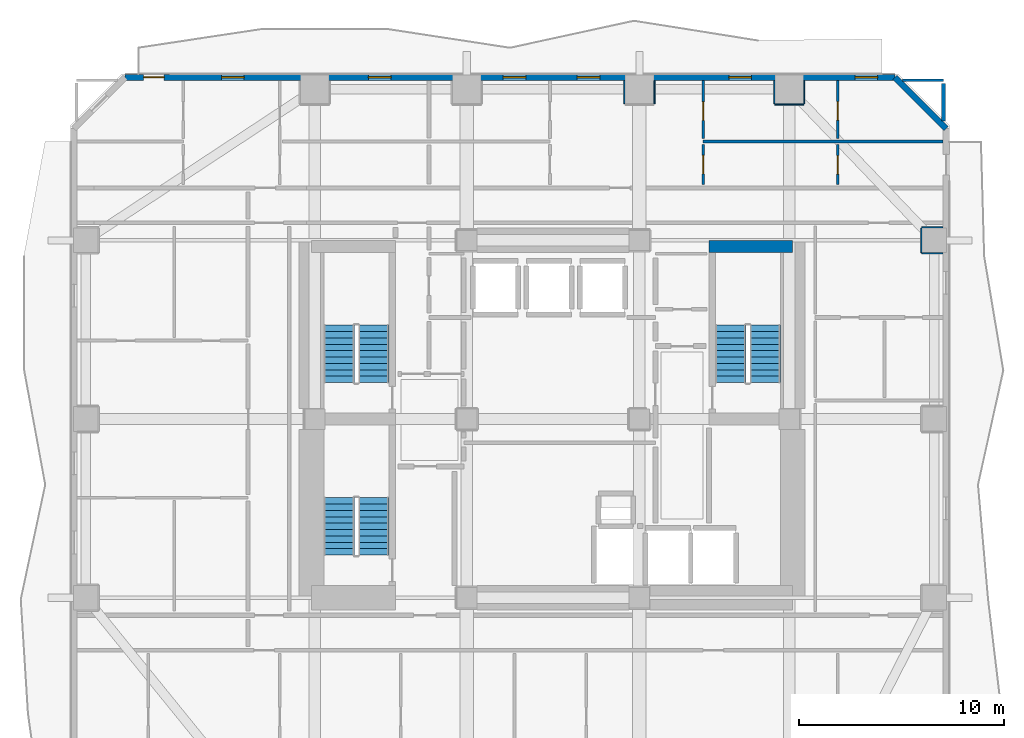
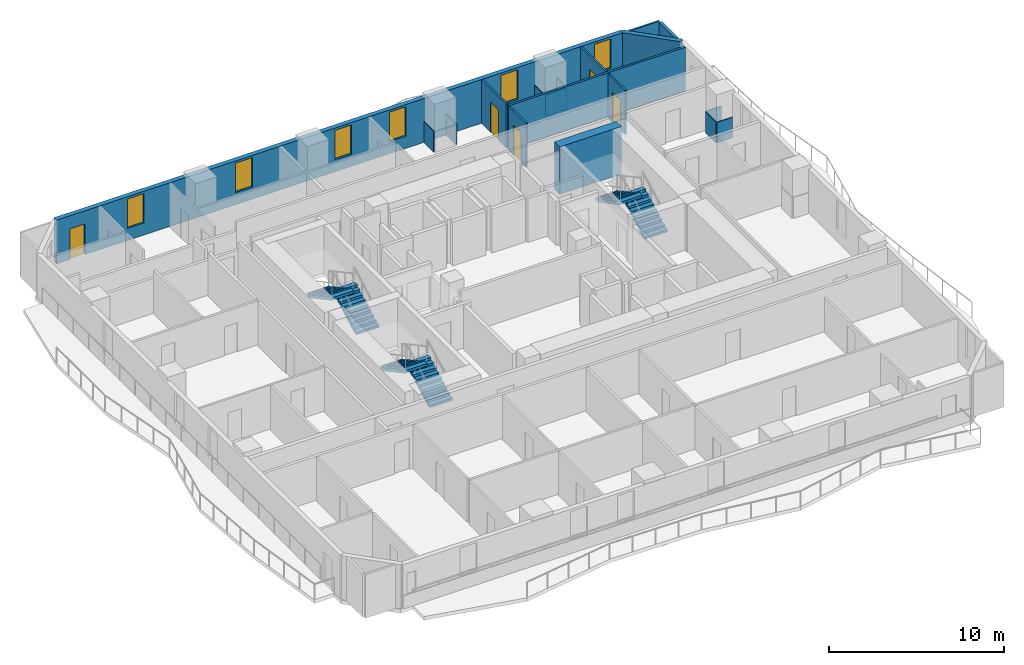
# One storey, part 7 of 11: 18 walls, 6 stair flights, 6 windows, 5 doors, 11 openings, 3 elements without a shape of their own.
"""IFC4 building model written with IfcOpenShell, lengths in metres."""

from ifc_helpers import new_model, si_unit, direction, frame, frame_2d, origin, place, context, subcontext, project, spatial, polyline, rectangle, outline, extrude, material, layer, layer_set, type_object, element, fill, aggregate, save


model = new_model("IFC4")

# Units and contexts
model_context = context("Model", 3, precision=1e-05, world=origin(), true_north=direction((0.0, 1.0)))
body_context = subcontext(model_context, "Body", "Model", "MODEL_VIEW")
ifc_project = project(units=[si_unit("LENGTHUNIT", "METRE"), si_unit("AREAUNIT", "SQUARE_METRE"), si_unit("VOLUMEUNIT", "CUBIC_METRE"), si_unit("PLANEANGLEUNIT", "RADIAN"), si_unit("MASSUNIT", "GRAM", prefix="KILO")], contexts=[model_context])

# Site, building, storey
site_placement = place(None, origin())
site = spatial("IfcSite", under=ifc_project, at=site_placement, CompositionType="ELEMENT")
building_placement = place(site_placement, origin())
building = spatial("IfcBuilding", under=site, at=building_placement, Name="Solanera Arch Residences", CompositionType="ELEMENT")
storey_placement = place(building_placement, frame((0.0, 0.0, 35.280029296875)))
storey = spatial("IfcBuildingStorey", under=building, at=storey_placement, Name="L09", CompositionType="ELEMENT", Elevation=35.280029296875)

# Walls
ifc_material_1 = material(Name="Fire-Rated Gypsum Stud Partition", Category="gypsum")
ifc_layer_1 = layer(ifc_material_1, 0.06005859375)
ifc_layer_set_1 = layer_set([ifc_layer_1], Name="Fire-Rated Gypsum Stud Partition")
wall_type_1 = type_object("IfcWallType", Name="Column Acoustic Furring Wall 60", PredefinedType="PARTITIONING", material=ifc_layer_set_1)
for number, where, z_axis, x_axis, name in (
    (1, (28.468017578125, 46.050048828125, 0.0), (0.0, 0.0, 1.0), (0.0, 1.0, 0.0), "L09 Column Furring 14W"),
    (2, (29.931884765625, 46.050048828125, 0.0), (0.0, 0.0, 1.0), (0.0, 1.0, 0.0), "L09 Column Furring 14E"),
):
    element("IfcWall", number, at=place(storey_placement, frame(where, z_axis=z_axis, x_axis=x_axis)), inside=storey, type_object=wall_type_1, Name=name, PredefinedType="PARTITIONING", context=body_context, shape_type="SweptSolid", body=[
        extrude(rectangle(XDim=1.119873046875, YDim=0.06005859375, at=frame_2d((0.56005859375, 0.0))), origin(), (0.0, 0.0, 1.0), 1.449951171875),
    ])
wall_1_placement = place(storey_placement, frame((35.800048828125, 46.01806640625, 0.0), z_axis=(0.0, 0.0, 1.0), x_axis=(1.0, 0.0, 0.0)))
element("IfcWall", 3, at=wall_1_placement, inside=storey, type_object=wall_type_1, Name="L09 Column Furring 16S", PredefinedType="PARTITIONING", context=body_context, shape_type="SweptSolid", body=[
    extrude(rectangle(XDim=1.39990234375, YDim=0.06005859375, at=frame_2d((0.699951171875, 0.0))), origin(), (0.0, 0.0, 1.0), 1.449951171875),
])
for number, where, z_axis, x_axis, name in (
    (4, (35.76806640625, 46.050048828125, 0.0), (0.0, 0.0, 1.0), (0.0, 1.0, 0.0), "L09 Column Furring 16W"),
    (5, (37.23193359375, 46.050048828125, 0.0), (0.0, 0.0, 1.0), (0.0, 1.0, 0.0), "L09 Column Furring 16E"),
):
    element("IfcWall", number, at=place(storey_placement, frame(where, z_axis=z_axis, x_axis=x_axis)), inside=storey, type_object=wall_type_1, Name=name, PredefinedType="PARTITIONING", context=body_context, shape_type="SweptSolid", body=[
        extrude(rectangle(XDim=1.119873046875, YDim=0.06005859375, at=frame_2d((0.56005859375, 0.0))), origin(), (0.0, 0.0, 1.0), 1.449951171875),
    ])
for number, where, z_axis, x_axis, name in (
    (6, (42.949951171875, 38.76806640625, 0.0), (0.0, 0.0, 1.0), (1.0, 0.0, 0.0), "L09 Column Furring 22S"),
    (7, (42.949951171875, 40.031982421875, 0.0), (0.0, 0.0, 1.0), (1.0, 0.0, 0.0), "L09 Column Furring 22N"),
):
    element("IfcWall", number, at=place(storey_placement, frame(where, z_axis=z_axis, x_axis=x_axis)), inside=storey, type_object=wall_type_1, Name=name, PredefinedType="PARTITIONING", context=body_context, shape_type="SweptSolid", body=[
        extrude(rectangle(XDim=1.02001953125, YDim=0.06005859375, at=frame_2d((0.510009765625, 0.0))), origin(), (0.0, 0.0, 1.0), 1.449951171875),
    ])
wall_2_placement = place(storey_placement, frame((42.91796875, 38.800048828125, 0.0), z_axis=(0.0, 0.0, 1.0), x_axis=(0.0, 1.0, 0.0)))
element("IfcWall", 8, at=wall_2_placement, inside=storey, type_object=wall_type_1, Name="L09 Column Furring 22W", PredefinedType="PARTITIONING", context=body_context, shape_type="SweptSolid", body=[
    extrude(rectangle(XDim=1.199951171875, YDim=0.06005859375, at=frame_2d((0.60009765625, 0.0))), origin(), (0.0, 0.0, 1.0), 1.449951171875),
])
ifc_material_2 = material(Name="Concrete C40/50 (f'c = 45 MPa)", Category="concrete")
ifc_layer_2 = layer(ifc_material_2, 0.60009765625)
ifc_layer_set_2 = layer_set([ifc_layer_2], Name="Concrete C40/50 (f'c = 45 MPa)")
wall_type_2 = type_object("IfcWallType", Name="Core Shear Wall CW-600", PredefinedType="SHEAR", material=ifc_layer_set_2)
wall_3_placement = place(storey_placement, frame((32.580078125, 39.10009765625, 0.0), z_axis=(0.0, 0.0, 1.0), x_axis=(1.0, 0.0, 0.0)))
element("IfcWall", 9, at=wall_3_placement, inside=storey, type_object=wall_type_2, Name="L09 North-East Core Shear Wall", PredefinedType="SHEAR", context=body_context, shape_type="SweptSolid", body=[
    extrude(rectangle(XDim=4.079833984375, YDim=0.60009765625, at=frame_2d((2.0400390625, 0.0))), origin(), (0.0, 0.0, 1.0), 3.320068359375),
])
ifc_material_3 = material(Name="Autoclaved Aerated Concrete Blockwork", Category="masonry")
ifc_layer_3 = layer(ifc_material_3, 0.179931640625)
ifc_layer_set_3 = layer_set([ifc_layer_3], Name="Autoclaved Aerated Concrete Blockwork")
wall_type_3 = type_object("IfcWallType", Name="Corridor Fire Partition 180", PredefinedType="PARTITIONING", material=ifc_layer_set_3)
wall_4_placement = place(storey_placement, frame((44.0, 45.198974609375, 0.0), z_axis=(0.0, 0.0, 1.0), x_axis=(0.0, 1.0, 0.0)))
element("IfcWall", 10, at=wall_4_placement, inside=storey, type_object=wall_type_3, Name="L09 Interior Partition V10 2", PredefinedType="PARTITIONING", context=body_context, shape_type="SweptSolid", body=[
    extrude(rectangle(XDim=1.843017578125, YDim=0.179931640625, at=frame_2d((0.92138671875, 0.0))), origin(), (0.0, 0.0, 1.0), 3.06005859375),
])

# Wall, openings, door, windows
ifc_material_4 = material(Name="Precast Concrete C35/45", Category="concrete")
ifc_layer_4 = layer(ifc_material_4, 0.300048828125)
ifc_layer_set_4 = layer_set([ifc_layer_4], Name="Precast Concrete C35/45")
wall_type_4 = type_object("IfcWallType", Name="Exterior Wall Precast Masonry-Frame 300", PredefinedType="STANDARD", material=ifc_layer_set_4)
wall_5_placement = place(storey_placement, frame((4.1650390625, 47.3349609375, 0.0), z_axis=(0.0, 0.0, 1.0), x_axis=(1.0, 0.0, 0.0)))
wall_5 = element("IfcWall", 11, at=wall_5_placement, inside=storey, type_object=wall_type_4, Name="L09 Tower Exterior Precast Masonry-Frame Wall N", PredefinedType="STANDARD", context=body_context, shape_type="SweptSolid", body=[
    extrude(rectangle(XDim=37.469970703125, YDim=0.300048828125, at=frame_2d((18.73486328125, 0.0))), origin(), (0.0, 0.0, 1.0), 3.06005859375),
])
opening_1_placement = place(wall_5_placement, frame((0.90087890625, 0.0, 0.0)))
opening_1 = element("IfcOpeningElement", 12, at=opening_1_placement, cuts=wall_5, Name="Opening DB-01", PredefinedType="OPENING", context=body_context, shape_type="SweptSolid", body=[
    extrude(rectangle(XDim=1.0, YDim=2.14990234375, at=frame_2d((0.5, 1.074951171875))), frame((0.0, 0.159912109375, 0.0), z_axis=(0.0, -1.0, 0.0), x_axis=(1.0, 0.0, 0.0)), (0.0, 0.0, 1.0), 0.32),
])
opening_2_placement = place(wall_5_placement, frame((4.693115234375, 0.0, 0.85009765625)))
opening_2 = element("IfcOpeningElement", 13, at=opening_2_placement, cuts=wall_5, Name="Opening W-11", PredefinedType="OPENING", context=body_context, shape_type="SweptSolid", body=[
    extrude(rectangle(XDim=1.10009765625, YDim=2.050048828125, at=frame_2d((0.550048828125, 1.02490234375))), frame((0.0, 0.159912109375, 0.0), z_axis=(0.0, -1.0, 0.0), x_axis=(1.0, 0.0, 0.0)), (0.0, 0.0, 1.0), 0.32),
])
opening_3_placement = place(wall_5_placement, frame((11.844970703125, 0.0, 0.85009765625)))
opening_3 = element("IfcOpeningElement", 14, at=opening_3_placement, cuts=wall_5, Name="Opening W-11", PredefinedType="OPENING", context=body_context, shape_type="SweptSolid", body=[
    extrude(rectangle(XDim=1.10009765625, YDim=2.050048828125, at=frame_2d((0.550048828125, 1.02490234375))), frame((0.0, 0.159912109375, 0.0), z_axis=(0.0, -1.0, 0.0), x_axis=(1.0, 0.0, 0.0)), (0.0, 0.0, 1.0), 0.32),
])
opening_4_placement = place(wall_5_placement, frame((22.006103515625, 0.0, 0.85009765625)))
opening_4 = element("IfcOpeningElement", 15, at=opening_4_placement, cuts=wall_5, Name="Opening W-11", PredefinedType="OPENING", context=body_context, shape_type="SweptSolid", body=[
    extrude(rectangle(XDim=1.10009765625, YDim=2.050048828125, at=frame_2d((0.550048828125, 1.02490234375))), frame((0.0, 0.159912109375, 0.0), z_axis=(0.0, -1.0, 0.0), x_axis=(1.0, 0.0, 0.0)), (0.0, 0.0, 1.0), 0.32),
])
opening_5_placement = place(wall_5_placement, frame((18.406005859375, 0.0, 0.85009765625)))
opening_5 = element("IfcOpeningElement", 16, at=opening_5_placement, cuts=wall_5, Name="Opening W-11", PredefinedType="OPENING", context=body_context, shape_type="SweptSolid", body=[
    extrude(rectangle(XDim=1.10009765625, YDim=2.050048828125, at=frame_2d((0.550048828125, 1.02490234375))), frame((0.0, 0.159912109375, 0.0), z_axis=(0.0, -1.0, 0.0), x_axis=(1.0, 0.0, 0.0)), (0.0, 0.0, 1.0), 0.32),
])
opening_6_placement = place(wall_5_placement, frame((29.387939453125, 0.0, 0.85009765625)))
opening_6 = element("IfcOpeningElement", 17, at=opening_6_placement, cuts=wall_5, Name="Opening W-11", PredefinedType="OPENING", context=body_context, shape_type="SweptSolid", body=[
    extrude(rectangle(XDim=1.10009765625, YDim=2.050048828125, at=frame_2d((0.550048828125, 1.02490234375))), frame((0.0, 0.159912109375, 0.0), z_axis=(0.0, -1.0, 0.0), x_axis=(1.0, 0.0, 0.0)), (0.0, 0.0, 1.0), 0.32),
])
opening_7_placement = place(wall_5_placement, frame((35.534912109375, 0.0, 0.85009765625)))
opening_7 = element("IfcOpeningElement", 18, at=opening_7_placement, cuts=wall_5, Name="Opening W-11", PredefinedType="OPENING", context=body_context, shape_type="SweptSolid", body=[
    extrude(rectangle(XDim=1.10009765625, YDim=2.050048828125, at=frame_2d((0.550048828125, 1.02490234375))), frame((0.0, 0.159912109375, 0.0), z_axis=(0.0, -1.0, 0.0), x_axis=(1.0, 0.0, 0.0)), (0.0, 0.0, 1.0), 0.32),
])
ifc_material_5 = material(Name="Anodised Aluminium Alloy 6063-T6", Category="aluminium")
door_type_1 = type_object("IfcDoorType", Name="Glazed Balcony Swing Door DB-01", OperationType="NOTDEFINED", PredefinedType="DOOR", material=ifc_material_5)
door_1_placement = place(opening_1_placement, origin())
door_1 = element("IfcDoor", 19, at=door_1_placement, inside=storey, type_object=door_type_1, Name="DR-L09-OUT-02", OperationType="SINGLE_SWING_RIGHT", OverallHeight=2.14990234375, OverallWidth=1.0, PredefinedType="DOOR", context=body_context, shape_type="SweptSolid", body=[
    extrude(rectangle(XDim=1.0, YDim=2.14990234375, at=frame_2d((0.5, 1.074951171875))), frame((0.0, 0.02490234375, 0.0), z_axis=(0.0, -1.0, 0.0), x_axis=(1.0, 0.0, 0.0)), (0.0, 0.0, 1.0), 0.050048828125),
])
fill(opening_1, door_1)
ifc_material_6 = material(Name="Double Glazed Low-E Laminated Glass", Category="glass")
window_type = type_object("IfcWindowType", Name="Punched Window W-11", PartitioningType="SINGLE_PANEL", PredefinedType="WINDOW", material=ifc_material_6)
window_1_placement = place(opening_2_placement, origin())
window_1 = element("IfcWindow", 20, at=window_1_placement, inside=storey, type_object=window_type, Name="L09 0903-LIV Punched Window", OverallHeight=2.050048828125, OverallWidth=1.10009765625, PartitioningType="SINGLE_PANEL", PredefinedType="WINDOW", context=body_context, shape_type="SweptSolid", body=[
    extrude(rectangle(XDim=1.10009765625, YDim=2.050048828125, at=frame_2d((0.550048828125, 1.02490234375))), frame((0.0, 0.030029296875, 0.0), z_axis=(0.0, -1.0, 0.0), x_axis=(1.0, 0.0, 0.0)), (0.0, 0.0, 1.0), 0.06005859375),
])
fill(opening_2, window_1)
window_2_placement = place(opening_3_placement, origin())
window_2 = element("IfcWindow", 21, at=window_2_placement, inside=storey, type_object=window_type, Name="L09 0903-BR2 Punched Window", OverallHeight=2.050048828125, OverallWidth=1.10009765625, PartitioningType="SINGLE_PANEL", PredefinedType="WINDOW", context=body_context, shape_type="SweptSolid", body=[
    extrude(rectangle(XDim=1.10009765625, YDim=2.050048828125, at=frame_2d((0.550048828125, 1.02490234375))), frame((0.0, 0.030029296875, 0.0), z_axis=(0.0, -1.0, 0.0), x_axis=(1.0, 0.0, 0.0)), (0.0, 0.0, 1.0), 0.06005859375),
])
fill(opening_3, window_2)
window_3_placement = place(opening_4_placement, origin())
window_3 = element("IfcWindow", 22, at=window_3_placement, inside=storey, type_object=window_type, Name="L09 0904-LIV Punched Window", OverallHeight=2.050048828125, OverallWidth=1.10009765625, PartitioningType="SINGLE_PANEL", PredefinedType="WINDOW", context=body_context, shape_type="SweptSolid", body=[
    extrude(rectangle(XDim=1.10009765625, YDim=2.050048828125, at=frame_2d((0.550048828125, 1.02490234375))), frame((0.0, 0.030029296875, 0.0), z_axis=(0.0, -1.0, 0.0), x_axis=(1.0, 0.0, 0.0)), (0.0, 0.0, 1.0), 0.06005859375),
])
fill(opening_4, window_3)
window_4_placement = place(opening_5_placement, origin())
window_4 = element("IfcWindow", 23, at=window_4_placement, inside=storey, type_object=window_type, Name="L09 0904-BR1 Punched Window", OverallHeight=2.050048828125, OverallWidth=1.10009765625, PartitioningType="SINGLE_PANEL", PredefinedType="WINDOW", context=body_context, shape_type="SweptSolid", body=[
    extrude(rectangle(XDim=1.10009765625, YDim=2.050048828125, at=frame_2d((0.550048828125, 1.02490234375))), frame((0.0, 0.030029296875, 0.0), z_axis=(0.0, -1.0, 0.0), x_axis=(1.0, 0.0, 0.0)), (0.0, 0.0, 1.0), 0.06005859375),
])
fill(opening_5, window_4)
window_5_placement = place(opening_6_placement, origin())
window_5 = element("IfcWindow", 24, at=window_5_placement, inside=storey, type_object=window_type, Name="L09 0904-BR2 Punched Window", OverallHeight=2.050048828125, OverallWidth=1.10009765625, PartitioningType="SINGLE_PANEL", PredefinedType="WINDOW", context=body_context, shape_type="SweptSolid", body=[
    extrude(rectangle(XDim=1.10009765625, YDim=2.050048828125, at=frame_2d((0.550048828125, 1.02490234375))), frame((0.0, 0.030029296875, 0.0), z_axis=(0.0, -1.0, 0.0), x_axis=(1.0, 0.0, 0.0)), (0.0, 0.0, 1.0), 0.06005859375),
])
fill(opening_6, window_5)
window_6_placement = place(opening_7_placement, origin())
window_6 = element("IfcWindow", 25, at=window_6_placement, inside=storey, type_object=window_type, Name="L09 0904-BR3 Punched Window", OverallHeight=2.050048828125, OverallWidth=1.10009765625, PartitioningType="SINGLE_PANEL", PredefinedType="WINDOW", context=body_context, shape_type="SweptSolid", body=[
    extrude(rectangle(XDim=1.10009765625, YDim=2.050048828125, at=frame_2d((0.550048828125, 1.02490234375))), frame((0.0, 0.030029296875, 0.0), z_axis=(0.0, -1.0, 0.0), x_axis=(1.0, 0.0, 0.0)), (0.0, 0.0, 1.0), 0.06005859375),
])
fill(opening_7, window_6)

# Walls
wall_6_placement = place(storey_placement, frame((41.635009765625, 47.3349609375, 0.0), z_axis=(0.0, 0.0, 1.0), x_axis=(0.707106781187, -0.707106781187, 0.0)))
element("IfcWall", 26, at=wall_6_placement, inside=storey, type_object=wall_type_4, Name="L09 Tower Exterior Precast Masonry-Frame Wall CH3", PredefinedType="STANDARD", context=body_context, shape_type="SweptSolid", body=[
    extrude(rectangle(XDim=3.53564453125, YDim=0.300048828125, at=frame_2d((1.767822265625, 0.0))), origin(), (0.0, 0.0, 1.0), 3.06005859375),
])
ifc_material_7 = material(Name="Fire-Rated Gypsum Stud Partition", Category="gypsum")
ifc_layer_5 = layer(ifc_material_7, 0.1201171875)
ifc_layer_set_5 = layer_set([ifc_layer_5], Name="Fire-Rated Gypsum Stud Partition")
wall_type_5 = type_object("IfcWallType", Name="Unit Drywall Partition 120", PredefinedType="PARTITIONING", material=ifc_layer_set_5)
wall_7_placement = place(storey_placement, frame((41.9990234375, 47.199951171875, 0.0), z_axis=(0.0, 0.0, 1.0), x_axis=(1.0, 0.0, 0.0)))
element("IfcWall", 27, at=wall_7_placement, inside=storey, type_object=wall_type_5, Name="L09 Interior Partition H24 2", PredefinedType="PARTITIONING", context=body_context, shape_type="SweptSolid", body=[
    extrude(rectangle(XDim=2.0009765625, YDim=0.1201171875, at=frame_2d((1.00048828125, 0.0))), origin(), (0.0, 0.0, 1.0), 3.06005859375),
])

# Wall, opening, door
wall_8_placement = place(storey_placement, frame((32.305908203125, 42.10791015625, 0.0), z_axis=(0.0, 0.0, 1.0), x_axis=(0.0, 1.0, 0.0)))
wall_8 = element("IfcWall", 28, at=wall_8_placement, inside=storey, type_object=wall_type_5, Name="L09 Interior Partition V25 1", PredefinedType="PARTITIONING", context=body_context, shape_type="SweptSolid", body=[
    extrude(rectangle(XDim=1.962158203125, YDim=0.1201171875, at=frame_2d((0.98095703125, 0.0))), origin(), (0.0, 0.0, 1.0), 3.06005859375),
])
opening_8_placement = place(wall_8_placement, frame((0.533935546875, 0.0, 0.0)))
opening_8 = element("IfcOpeningElement", 29, at=opening_8_placement, cuts=wall_8, Name="Opening DI-02", PredefinedType="OPENING", context=body_context, shape_type="SweptSolid", body=[
    extrude(rectangle(XDim=0.89990234375, YDim=2.10009765625, at=frame_2d((0.449951171875, 1.050048828125))), frame((0.0, 0.070068359375, 0.0), z_axis=(0.0, -1.0, 0.0), x_axis=(1.0, 0.0, 0.0)), (0.0, 0.0, 1.0), 0.1401),
])
ifc_material_8 = material(Name="Fire-Rated Architectural Hardwood", Category="wood")
door_type_2 = type_object("IfcDoorType", Name="Suite Room Swing Door DI-02", OperationType="NOTDEFINED", PredefinedType="DOOR", material=ifc_material_8)
door_2_placement = place(opening_8_placement, origin())
door_2 = element("IfcDoor", 30, at=door_2_placement, inside=storey, type_object=door_type_2, Name="DR-L09-IN-036", OperationType="SINGLE_SWING_LEFT", OverallHeight=2.10009765625, OverallWidth=0.89990234375, PredefinedType="DOOR", context=body_context, shape_type="SweptSolid", body=[
    extrude(rectangle(XDim=0.89990234375, YDim=2.10009765625, at=frame_2d((0.449951171875, 1.050048828125))), frame((0.0, 0.02490234375, 0.0), z_axis=(0.0, -1.0, 0.0), x_axis=(1.0, 0.0, 0.0)), (0.0, 0.0, 1.0), 0.050048828125),
])
fill(opening_8, door_2)

wall_9_placement = place(storey_placement, frame((32.305908203125, 44.345947265625, 0.0), z_axis=(0.0, 0.0, 1.0), x_axis=(0.0, 1.0, 0.0)))
wall_9 = element("IfcWall", 31, at=wall_9_placement, inside=storey, type_object=wall_type_5, Name="L09 Interior Partition V25 2", PredefinedType="PARTITIONING", context=body_context, shape_type="SweptSolid", body=[
    extrude(rectangle(XDim=2.8271484375, YDim=0.1201171875, at=frame_2d((1.41357421875, 0.0))), origin(), (0.0, 0.0, 1.0), 3.06005859375),
])
opening_9_placement = place(wall_9_placement, frame((0.89501953125, 0.0, 0.0)))
opening_9 = element("IfcOpeningElement", 32, at=opening_9_placement, cuts=wall_9, Name="Opening DI-03", PredefinedType="OPENING", context=body_context, shape_type="SweptSolid", body=[
    extrude(rectangle(XDim=0.89990234375, YDim=2.10009765625, at=frame_2d((0.449951171875, 1.050048828125))), frame((0.0, 0.070068359375, 0.0), z_axis=(0.0, -1.0, 0.0), x_axis=(1.0, 0.0, 0.0)), (0.0, 0.0, 1.0), 0.1401),
])
ifc_material_9 = material(Name="Fire-Rated Architectural Hardwood", Category="wood")
door_type_3 = type_object("IfcDoorType", Name="Bedroom Swing Door DI-03", OperationType="NOTDEFINED", PredefinedType="DOOR", material=ifc_material_9)
door_3_placement = place(opening_9_placement, origin())
door_3 = element("IfcDoor", 33, at=door_3_placement, inside=storey, type_object=door_type_3, Name="DR-L09-IN-038", OperationType="SINGLE_SWING_LEFT", OverallHeight=2.10009765625, OverallWidth=0.89990234375, PredefinedType="DOOR", context=body_context, shape_type="SweptSolid", body=[
    extrude(rectangle(XDim=0.89990234375, YDim=2.10009765625, at=frame_2d((0.449951171875, 1.050048828125))), frame((0.0, 0.02490234375, 0.0), z_axis=(0.0, -1.0, 0.0), x_axis=(1.0, 0.0, 0.0)), (0.0, 0.0, 1.0), 0.050048828125),
])
fill(opening_9, door_3)

wall_10_placement = place(storey_placement, frame((38.85498046875, 42.10791015625, 0.0), z_axis=(0.0, 0.0, 1.0), x_axis=(0.0, 1.0, 0.0)))
wall_10 = element("IfcWall", 34, at=wall_10_placement, inside=storey, type_object=wall_type_5, Name="L09 Interior Partition V28 1", PredefinedType="PARTITIONING", context=body_context, shape_type="SweptSolid", body=[
    extrude(rectangle(XDim=1.962158203125, YDim=0.1201171875, at=frame_2d((0.98095703125, 0.0))), origin(), (0.0, 0.0, 1.0), 3.06005859375),
])
opening_10_placement = place(wall_10_placement, frame((0.52099609375, 0.0, 0.0)))
opening_10 = element("IfcOpeningElement", 35, at=opening_10_placement, cuts=wall_10, Name="Opening DI-02", PredefinedType="OPENING", context=body_context, shape_type="SweptSolid", body=[
    extrude(rectangle(XDim=0.89990234375, YDim=2.10009765625, at=frame_2d((0.449951171875, 1.050048828125))), frame((0.0, 0.070068359375, 0.0), z_axis=(0.0, -1.0, 0.0), x_axis=(1.0, 0.0, 0.0)), (0.0, 0.0, 1.0), 0.1401),
])
door_4_placement = place(opening_10_placement, origin())
door_4 = element("IfcDoor", 36, at=door_4_placement, inside=storey, type_object=door_type_2, Name="DR-L09-IN-037", OperationType="SINGLE_SWING_RIGHT", OverallHeight=2.10009765625, OverallWidth=0.89990234375, PredefinedType="DOOR", context=body_context, shape_type="SweptSolid", body=[
    extrude(rectangle(XDim=0.89990234375, YDim=2.10009765625, at=frame_2d((0.449951171875, 1.050048828125))), frame((0.0, 0.02490234375, 0.0), z_axis=(0.0, -1.0, 0.0), x_axis=(1.0, 0.0, 0.0)), (0.0, 0.0, 1.0), 0.050048828125),
])
fill(opening_10, door_4)

wall_11_placement = place(storey_placement, frame((38.85498046875, 44.345947265625, 0.0), z_axis=(0.0, 0.0, 1.0), x_axis=(0.0, 1.0, 0.0)))
wall_11 = element("IfcWall", 37, at=wall_11_placement, inside=storey, type_object=wall_type_5, Name="L09 Interior Partition V28 2", PredefinedType="PARTITIONING", context=body_context, shape_type="SweptSolid", body=[
    extrude(rectangle(XDim=2.8271484375, YDim=0.1201171875, at=frame_2d((1.41357421875, 0.0))), origin(), (0.0, 0.0, 1.0), 3.06005859375),
])
opening_11_placement = place(wall_11_placement, frame((0.907958984375, 0.0, 0.0)))
opening_11 = element("IfcOpeningElement", 38, at=opening_11_placement, cuts=wall_11, Name="Opening DI-03", PredefinedType="OPENING", context=body_context, shape_type="SweptSolid", body=[
    extrude(rectangle(XDim=0.89990234375, YDim=2.10009765625, at=frame_2d((0.449951171875, 1.050048828125))), frame((0.0, 0.070068359375, 0.0), z_axis=(0.0, -1.0, 0.0), x_axis=(1.0, 0.0, 0.0)), (0.0, 0.0, 1.0), 0.1401),
])
door_5_placement = place(opening_11_placement, origin())
door_5 = element("IfcDoor", 39, at=door_5_placement, inside=storey, type_object=door_type_3, Name="DR-L09-IN-039", OperationType="SINGLE_SWING_RIGHT", OverallHeight=2.10009765625, OverallWidth=0.89990234375, PredefinedType="DOOR", context=body_context, shape_type="SweptSolid", body=[
    extrude(rectangle(XDim=0.89990234375, YDim=2.10009765625, at=frame_2d((0.449951171875, 1.050048828125))), frame((0.0, 0.02490234375, 0.0), z_axis=(0.0, -1.0, 0.0), x_axis=(1.0, 0.0, 0.0)), (0.0, 0.0, 1.0), 0.050048828125),
])
fill(opening_11, door_5)

# Wall
ifc_material_10 = material(Name="Autoclaved Aerated Concrete Blockwork", Category="masonry")
ifc_layer_6 = layer(ifc_material_10, 0.139892578125)
ifc_layer_set_6 = layer_set([ifc_layer_6], Name="Autoclaved Aerated Concrete Blockwork")
wall_type_6 = type_object("IfcWallType", Name="Wet-Room Partition 140", PredefinedType="PARTITIONING", material=ifc_layer_set_6)
wall_12_placement = place(storey_placement, frame((32.305908203125, 44.2080078125, 0.0), z_axis=(0.0, 0.0, 1.0), x_axis=(1.0, 0.0, 0.0)))
element("IfcWall", 40, at=wall_12_placement, inside=storey, type_object=wall_type_6, Name="L09 Interior Partition H21", PredefinedType="PARTITIONING", context=body_context, shape_type="SweptSolid", body=[
    extrude(rectangle(XDim=11.6669921875, YDim=0.139892578125, at=frame_2d((5.83349609375, 0.0))), origin(), (0.0, 0.0, 1.0), 3.06005859375),
])

# Stair, stair flights
ifc_material_11 = material(Name="Concrete C40/50 (f'c = 45 MPa)", Category="concrete")
stair_type = type_object("IfcStairType", Name="Tower Dogleg Exit Stair 1480", PredefinedType="HALF_TURN_STAIR", material=ifc_material_11)
stair_1_placement = place(storey_placement, origin())
stair_1 = element("IfcStair", 41, at=stair_1_placement, inside=storey, type_object=stair_type, Name="L09 Tower Core Exit Stair 1", PredefinedType="HALF_TURN_STAIR")
ifc_material_12 = material(Name="Concrete C40/50 (f'c = 45 MPa)", Category="concrete")
stair_flight_type = type_object("IfcStairFlightType", Name="Tower Precast Stair Flight 1480", PredefinedType="STRAIGHT", material=ifc_material_12)
stair_flight_1_placement = place(storey_placement, frame((16.260009765625, 32.47998046875, 0.0), z_axis=(0.0, 0.0, 1.0), x_axis=(0.0, 1.0, 0.0)))
stair_flight_1 = element("IfcStairFlight", 42, at=stair_flight_1_placement, type_object=stair_flight_type, Name="ST-T1 flight 1", NumberOfRisers=10, NumberOfTreads=9, PredefinedType="STRAIGHT", RiserHeight=0.166, TreadLength=0.31, context=body_context, shape_type="SweptSolid", body=[
    extrude(outline(polyline([(0.0, 0.0), (0.0, 0.166015625), (0.31005859375, 0.166015625), (0.31005859375, 0.33203125), (0.6201171875, 0.33203125), (0.6201171875, 0.498046875), (0.929931640625, 0.498046875), (0.929931640625, 0.6640625), (1.239990234375, 0.6640625), (1.239990234375, 0.830078125), (1.550048828125, 0.830078125), (1.550048828125, 0.99609375), (1.860107421875, 0.99609375), (1.860107421875, 1.162109375), (2.169921875, 1.162109375), (2.169921875, 1.327880859375), (2.47998046875, 1.327880859375), (2.47998046875, 1.493896484375), (2.7900390625, 1.493896484375), (2.7900390625, 1.659912109375), (2.7900390625, 1.323974609375), (0.317626953125, 0.0), (0.0, 0.0)])), frame((0.0, 0.739990234375, 0.0), z_axis=(0.0, -1.0, 0.0), x_axis=(1.0, 0.0, 0.0)), (0.0, 0.0, 1.0), 1.47998046875),
])
stair_flight_2_placement = place(storey_placement, frame((14.580078125, 35.27001953125, 1.659912109375), z_axis=(0.0, 0.0, 1.0), x_axis=(0.0, -1.0, 0.0)))
stair_flight_2 = element("IfcStairFlight", 43, at=stair_flight_2_placement, type_object=stair_flight_type, Name="ST-T1 flight 2", NumberOfRisers=10, NumberOfTreads=9, PredefinedType="STRAIGHT", RiserHeight=0.166, TreadLength=0.31, context=body_context, shape_type="SweptSolid", body=[
    extrude(outline(polyline([(0.0, 0.0), (0.0, 0.166015625), (0.31005859375, 0.166015625), (0.31005859375, 0.33203125), (0.6201171875, 0.33203125), (0.6201171875, 0.498046875), (0.929931640625, 0.498046875), (0.929931640625, 0.6640625), (1.239990234375, 0.6640625), (1.239990234375, 0.830078125), (1.550048828125, 0.830078125), (1.550048828125, 0.99609375), (1.860107421875, 0.99609375), (1.860107421875, 1.162109375), (2.169921875, 1.162109375), (2.169921875, 1.327880859375), (2.47998046875, 1.327880859375), (2.47998046875, 1.493896484375), (2.7900390625, 1.493896484375), (2.7900390625, 1.659912109375), (2.7900390625, 1.323974609375), (0.317626953125, 0.0), (0.0, 0.0)])), frame((0.0, 0.739990234375, 0.0), z_axis=(0.0, -1.0, 0.0), x_axis=(1.0, 0.0, 0.0)), (0.0, 0.0, 1.0), 1.47998046875),
])
aggregate(stair_1, [stair_flight_1, stair_flight_2])

stair_2_placement = place(storey_placement, origin())
stair_2 = element("IfcStair", 44, at=stair_2_placement, inside=storey, type_object=stair_type, Name="L09 Tower Core Exit Stair 2", PredefinedType="HALF_TURN_STAIR")
stair_flight_3_placement = place(storey_placement, frame((35.320068359375, 32.47998046875, 0.0), z_axis=(0.0, 0.0, 1.0), x_axis=(0.0, 1.0, 0.0)))
stair_flight_3 = element("IfcStairFlight", 45, at=stair_flight_3_placement, type_object=stair_flight_type, Name="ST-T2 flight 1", NumberOfRisers=10, NumberOfTreads=9, PredefinedType="STRAIGHT", RiserHeight=0.166, TreadLength=0.31, context=body_context, shape_type="SweptSolid", body=[
    extrude(outline(polyline([(0.0, 0.0), (0.0, 0.166015625), (0.31005859375, 0.166015625), (0.31005859375, 0.33203125), (0.6201171875, 0.33203125), (0.6201171875, 0.498046875), (0.929931640625, 0.498046875), (0.929931640625, 0.6640625), (1.239990234375, 0.6640625), (1.239990234375, 0.830078125), (1.550048828125, 0.830078125), (1.550048828125, 0.99609375), (1.860107421875, 0.99609375), (1.860107421875, 1.162109375), (2.169921875, 1.162109375), (2.169921875, 1.327880859375), (2.47998046875, 1.327880859375), (2.47998046875, 1.493896484375), (2.7900390625, 1.493896484375), (2.7900390625, 1.659912109375), (2.7900390625, 1.323974609375), (0.317626953125, 0.0), (0.0, 0.0)])), frame((0.0, 0.739990234375, 0.0), z_axis=(0.0, -1.0, 0.0), x_axis=(1.0, 0.0, 0.0)), (0.0, 0.0, 1.0), 1.47998046875),
])
stair_flight_4_placement = place(storey_placement, frame((33.639892578125, 35.27001953125, 1.659912109375), z_axis=(0.0, 0.0, 1.0), x_axis=(0.0, -1.0, 0.0)))
stair_flight_4 = element("IfcStairFlight", 46, at=stair_flight_4_placement, type_object=stair_flight_type, Name="ST-T2 flight 2", NumberOfRisers=10, NumberOfTreads=9, PredefinedType="STRAIGHT", RiserHeight=0.166, TreadLength=0.31, context=body_context, shape_type="SweptSolid", body=[
    extrude(outline(polyline([(0.0, 0.0), (0.0, 0.166015625), (0.31005859375, 0.166015625), (0.31005859375, 0.33203125), (0.6201171875, 0.33203125), (0.6201171875, 0.498046875), (0.929931640625, 0.498046875), (0.929931640625, 0.6640625), (1.239990234375, 0.6640625), (1.239990234375, 0.830078125), (1.550048828125, 0.830078125), (1.550048828125, 0.99609375), (1.860107421875, 0.99609375), (1.860107421875, 1.162109375), (2.169921875, 1.162109375), (2.169921875, 1.327880859375), (2.47998046875, 1.327880859375), (2.47998046875, 1.493896484375), (2.7900390625, 1.493896484375), (2.7900390625, 1.659912109375), (2.7900390625, 1.323974609375), (0.317626953125, 0.0), (0.0, 0.0)])), frame((0.0, 0.739990234375, 0.0), z_axis=(0.0, -1.0, 0.0), x_axis=(1.0, 0.0, 0.0)), (0.0, 0.0, 1.0), 1.47998046875),
])
aggregate(stair_2, [stair_flight_3, stair_flight_4])

stair_3_placement = place(storey_placement, origin())
stair_3 = element("IfcStair", 47, at=stair_3_placement, inside=storey, type_object=stair_type, Name="L09 Tower Core Exit Stair 3", PredefinedType="HALF_TURN_STAIR")
stair_flight_5_placement = place(storey_placement, frame((16.260009765625, 24.080078125, 0.0), z_axis=(0.0, 0.0, 1.0), x_axis=(0.0, 1.0, 0.0)))
stair_flight_5 = element("IfcStairFlight", 48, at=stair_flight_5_placement, type_object=stair_flight_type, Name="ST-T3 flight 1", NumberOfRisers=10, NumberOfTreads=9, PredefinedType="STRAIGHT", RiserHeight=0.166, TreadLength=0.31, context=body_context, shape_type="SweptSolid", body=[
    extrude(outline(polyline([(0.0, 0.0), (0.0, 0.166015625), (0.31005859375, 0.166015625), (0.31005859375, 0.33203125), (0.6201171875, 0.33203125), (0.6201171875, 0.498046875), (0.929931640625, 0.498046875), (0.929931640625, 0.6640625), (1.239990234375, 0.6640625), (1.239990234375, 0.830078125), (1.550048828125, 0.830078125), (1.550048828125, 0.99609375), (1.860107421875, 0.99609375), (1.860107421875, 1.162109375), (2.169921875, 1.162109375), (2.169921875, 1.327880859375), (2.47998046875, 1.327880859375), (2.47998046875, 1.493896484375), (2.7900390625, 1.493896484375), (2.7900390625, 1.659912109375), (2.7900390625, 1.323974609375), (0.317626953125, 0.0), (0.0, 0.0)])), frame((0.0, 0.739990234375, 0.0), z_axis=(0.0, -1.0, 0.0), x_axis=(1.0, 0.0, 0.0)), (0.0, 0.0, 1.0), 1.47998046875),
])
stair_flight_6_placement = place(storey_placement, frame((14.580078125, 26.8701171875, 1.659912109375), z_axis=(0.0, 0.0, 1.0), x_axis=(0.0, -1.0, 0.0)))
stair_flight_6 = element("IfcStairFlight", 49, at=stair_flight_6_placement, type_object=stair_flight_type, Name="ST-T3 flight 2", NumberOfRisers=10, NumberOfTreads=9, PredefinedType="STRAIGHT", RiserHeight=0.166, TreadLength=0.31, context=body_context, shape_type="SweptSolid", body=[
    extrude(outline(polyline([(0.0, 0.0), (0.0, 0.166015625), (0.31005859375, 0.166015625), (0.31005859375, 0.33203125), (0.6201171875, 0.33203125), (0.6201171875, 0.498046875), (0.929931640625, 0.498046875), (0.929931640625, 0.6640625), (1.239990234375, 0.6640625), (1.239990234375, 0.830078125), (1.550048828125, 0.830078125), (1.550048828125, 0.99609375), (1.860107421875, 0.99609375), (1.860107421875, 1.162109375), (2.169921875, 1.162109375), (2.169921875, 1.327880859375), (2.47998046875, 1.327880859375), (2.47998046875, 1.493896484375), (2.7900390625, 1.493896484375), (2.7900390625, 1.659912109375), (2.7900390625, 1.323974609375), (0.317626953125, 0.0), (0.0, 0.0)])), frame((0.0, 0.739990234375, 0.0), z_axis=(0.0, -1.0, 0.0), x_axis=(1.0, 0.0, 0.0)), (0.0, 0.0, 1.0), 1.47998046875),
])
aggregate(stair_3, [stair_flight_5, stair_flight_6])

save(model, "model.ifc")
